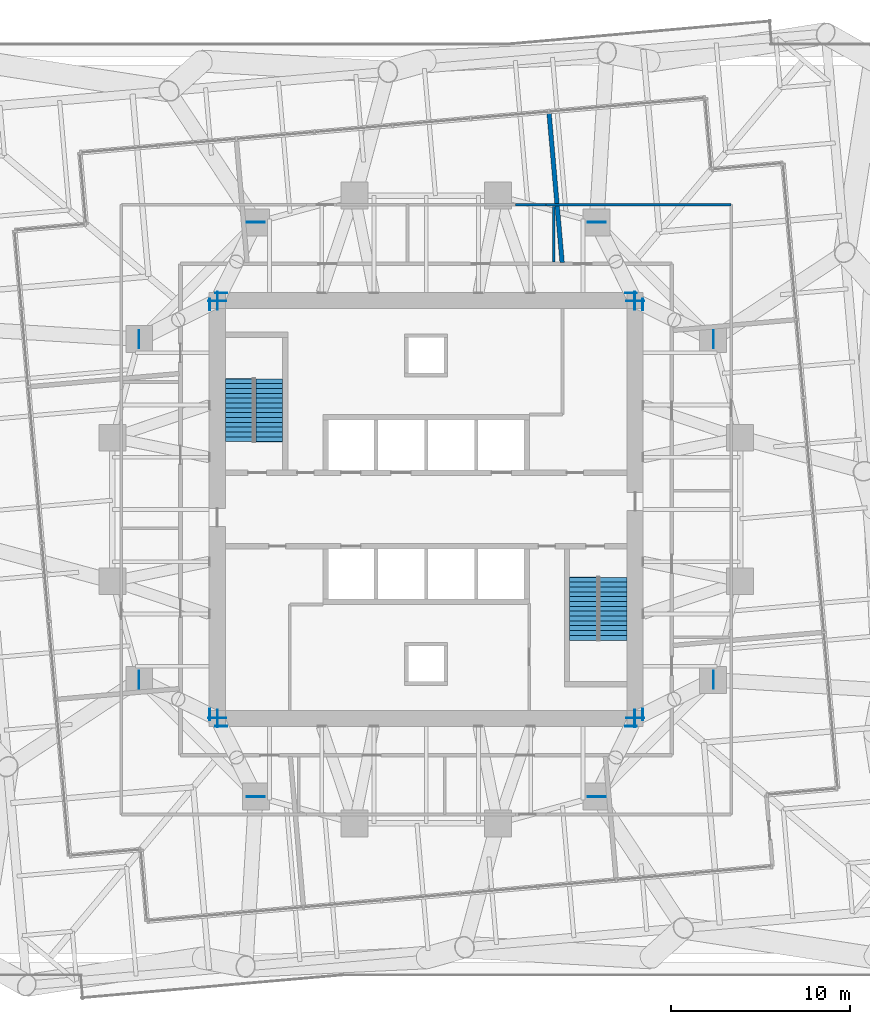
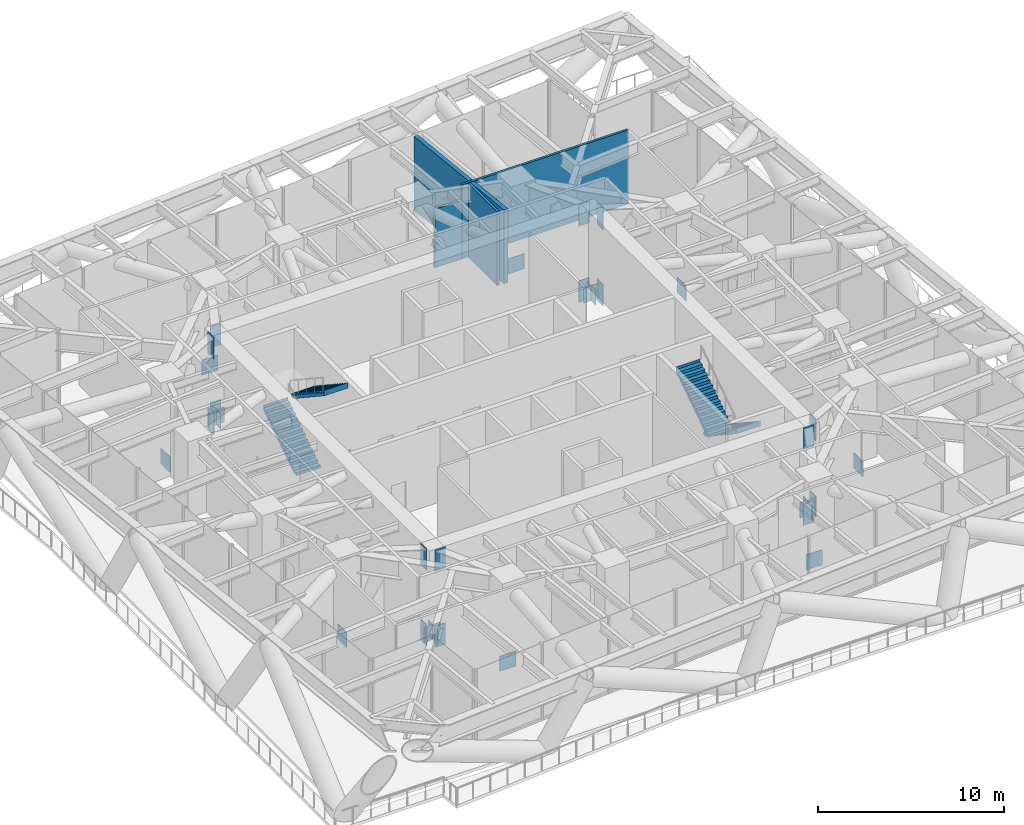
# One storey, part 11 of 14: 32 discrete accessories, 4 stair flights, 4 walls, 2 elements without a shape of their own.
"""IFC4 building model written with IfcOpenShell, lengths in metres."""

from ifc_helpers import new_model, si_unit, direction, frame, frame_2d, origin, origin_2d, place, context, subcontext, project, spatial, polyline, rectangle, outline, extrude, material, layer, layer_set, type_object, element, aggregate, save


model = new_model("IFC4")

# Units and contexts
model_context = context("Model", 3, precision=1e-05, world=origin(), true_north=direction((0.0, 1.0)))
body_context = subcontext(model_context, "Body", "Model", "MODEL_VIEW")
ifc_project = project(units=[si_unit("LENGTHUNIT", "METRE"), si_unit("AREAUNIT", "SQUARE_METRE"), si_unit("VOLUMEUNIT", "CUBIC_METRE"), si_unit("PLANEANGLEUNIT", "RADIAN"), si_unit("MASSUNIT", "GRAM", prefix="KILO")], contexts=[model_context])

# Site, building, storey
site_placement = place(None, origin())
site = spatial("IfcSite", under=ifc_project, at=site_placement, CompositionType="ELEMENT")
building_placement = place(site_placement, origin())
building = spatial("IfcBuilding", under=site, at=building_placement, Name="Torsade Residences", CompositionType="ELEMENT")
storey_placement = place(building_placement, frame((0.0, 0.0, 42.199951171875)))
storey = spatial("IfcBuildingStorey", under=building, at=storey_placement, Name="L11", CompositionType="ELEMENT", Elevation=42.199951171875)

# Walls
ifc_material_1 = material(Name="Masonry-lined stud party wall", Category="masonry")
ifc_layer_1 = layer(ifc_material_1, 0.25)
ifc_layer_set_1 = layer_set([ifc_layer_1], Name="Masonry-lined stud party wall")
wall_type_1 = type_object("IfcWallType", Name="PARTY WALL 250", PredefinedType="PARTITIONING", material=ifc_layer_set_1)
wall_1_placement = place(storey_placement, frame((46.8427734375, 52.180908203125, 0.0), z_axis=(0.0, 0.0, 1.0), x_axis=(0.087163721544, -0.996194000005, 0.0)))
element("IfcWall", 1, at=wall_1_placement, inside=storey, type_object=wall_type_1, Name="Party wall L11", PredefinedType="PARTITIONING", context=body_context, shape_type="SweptSolid", body=[
    extrude(rectangle(XDim=8.442138671875, YDim=0.25, at=frame_2d((4.22119140625, 0.0))), origin(), (0.0, 0.0, 1.0), 4.85009765625),
])
ifc_material_2 = material(Name="Reinforced blockwork", Category="masonry")
ifc_layer_2 = layer(ifc_material_2, 0.14990234375)
ifc_layer_set_2 = layer_set([ifc_layer_2], Name="Reinforced blockwork")
wall_type_2 = type_object("IfcWallType", Name="SERVICE ROOM WALL 150", PredefinedType="SOLIDWALL", material=ifc_layer_set_2)
wall_2_placement = place(storey_placement, frame((47.114501953125, 43.800048828125, 0.0), z_axis=(0.0, 0.0, 1.0), x_axis=(0.0, 1.0, 0.0)))
element("IfcWall", 2, at=wall_2_placement, inside=storey, type_object=wall_type_2, Name="Service room wall L11", PredefinedType="SOLIDWALL", context=body_context, shape_type="SweptSolid", body=[
    extrude(rectangle(XDim=3.095947265625, YDim=0.14990234375, at=frame_2d((1.5478515625, 0.0))), origin(), (0.0, 0.0, 1.0), 4.85009765625),
])
wall_3_placement = place(storey_placement, frame((44.98828125, 47.0, 0.0), z_axis=(0.0, 0.0, 1.0), x_axis=(1.0, 0.0, 0.0)))
element("IfcWall", 3, at=wall_3_placement, inside=storey, type_object=wall_type_2, Name="Service room wall L11", PredefinedType="SOLIDWALL", context=body_context, shape_type="SweptSolid", body=[
    extrude(rectangle(XDim=1.690185546875, YDim=0.14990234375, at=frame_2d((0.84521484375, 0.0))), origin(), (0.0, 0.0, 1.0), 3.85009765625),
])
wall_4_placement = place(storey_placement, frame((46.678466796875, 47.0, 0.0), z_axis=(0.0, 0.0, 1.0), x_axis=(1.0, 0.0, 0.0)))
element("IfcWall", 4, at=wall_4_placement, inside=storey, type_object=wall_type_2, Name="Service room wall L11", PredefinedType="SOLIDWALL", context=body_context, shape_type="SweptSolid", body=[
    extrude(rectangle(XDim=10.321533203125, YDim=0.14990234375, at=frame_2d((5.16064453125, 0.0))), origin(), (0.0, 0.0, 1.0), 4.85009765625),
])

# Stair, stair flights
ifc_material_3 = material(Name="Precast concrete 40 MPa", Category="concrete")
stair_type = type_object("IfcStairType", Name="HALF-TURN FIRE STAIR 1500x5000", PredefinedType="HALF_TURN_STAIR", material=ifc_material_3)
stair_1_placement = place(storey_placement, origin())
stair_1 = element("IfcStair", 5, at=stair_1_placement, inside=storey, type_object=stair_type, Name="Stair ST1 L11", PredefinedType="HALF_TURN_STAIR")
ifc_material_4 = material(Name="Precast concrete 40 MPa", Category="concrete")
stair_flight_type = type_object("IfcStairFlightType", Name="PRECAST STAIR FLIGHT 1500x2500", PredefinedType="STRAIGHT", material=ifc_material_4)
stair_flight_1_placement = place(storey_placement, frame((29.550048828125, 33.780029296875, 0.0), z_axis=(0.0, 0.0, 1.0), x_axis=(0.0, 1.0, 0.0)))
stair_flight_1 = element("IfcStairFlight", 6, at=stair_flight_1_placement, type_object=stair_flight_type, Name="ST1 flight 1", NumberOfRisers=14, NumberOfTreads=13, PredefinedType="STRAIGHT", RiserHeight=0.178571429, TreadLength=0.27, context=body_context, shape_type="SweptSolid", body=[
    extrude(outline(polyline([(0.0, 0.0), (0.0, 0.178466796875), (0.27001953125, 0.178466796875), (0.27001953125, 0.357177734375), (0.5400390625, 0.357177734375), (0.5400390625, 0.53564453125), (0.81005859375, 0.53564453125), (0.81005859375, 0.71435546875), (1.080078125, 0.71435546875), (1.080078125, 0.892822265625), (1.35009765625, 0.892822265625), (1.35009765625, 1.071533203125), (1.6201171875, 1.071533203125), (1.6201171875, 1.25), (1.889892578125, 1.25), (1.889892578125, 1.428466796875), (2.159912109375, 1.428466796875), (2.159912109375, 1.607177734375), (2.429931640625, 1.607177734375), (2.429931640625, 1.78564453125), (2.699951171875, 1.78564453125), (2.699951171875, 1.96435546875), (2.969970703125, 1.96435546875), (2.969970703125, 2.142822265625), (3.239990234375, 2.142822265625), (3.239990234375, 2.321533203125), (3.510009765625, 2.321533203125), (3.510009765625, 2.5), (3.52001953125, 2.5), (3.52001953125, 2.1416015625), (3.510009765625, 2.1416015625), (0.271728515625, 0.0), (0.0, 0.0)])), frame((0.0, 0.75, 0.0), z_axis=(0.0, -1.0, 0.0), x_axis=(1.0, 0.0, 0.0)), (0.0, 0.0, 1.0), 1.5),
])
stair_flight_2_placement = place(storey_placement, frame((31.25, 37.2900390625, 2.5), z_axis=(0.0, 0.0, 1.0), x_axis=(0.0, -1.0, 0.0)))
stair_flight_2 = element("IfcStairFlight", 7, at=stair_flight_2_placement, type_object=stair_flight_type, Name="ST1 flight 2", NumberOfRisers=14, NumberOfTreads=13, PredefinedType="STRAIGHT", RiserHeight=0.178571429, TreadLength=0.27, context=body_context, shape_type="SweptSolid", body=[
    extrude(outline(polyline([(0.0, 0.0), (0.0, 0.178466796875), (0.27001953125, 0.178466796875), (0.27001953125, 0.357177734375), (0.5400390625, 0.357177734375), (0.5400390625, 0.53564453125), (0.81005859375, 0.53564453125), (0.81005859375, 0.71435546875), (1.080078125, 0.71435546875), (1.080078125, 0.892822265625), (1.35009765625, 0.892822265625), (1.35009765625, 1.071533203125), (1.6201171875, 1.071533203125), (1.6201171875, 1.25), (1.889892578125, 1.25), (1.889892578125, 1.428466796875), (2.159912109375, 1.428466796875), (2.159912109375, 1.607177734375), (2.429931640625, 1.607177734375), (2.429931640625, 1.78564453125), (2.699951171875, 1.78564453125), (2.699951171875, 1.96435546875), (2.969970703125, 1.96435546875), (2.969970703125, 2.142822265625), (3.239990234375, 2.142822265625), (3.239990234375, 2.321533203125), (3.510009765625, 2.321533203125), (3.510009765625, 2.5), (3.52001953125, 2.5), (3.52001953125, 2.1416015625), (3.510009765625, 2.1416015625), (0.271728515625, 0.0), (0.0, 0.0)])), frame((0.0, 0.75, 0.0), z_axis=(0.0, -1.0, 0.0), x_axis=(1.0, 0.0, 0.0)), (0.0, 0.0, 1.0), 1.5),
])
aggregate(stair_1, [stair_flight_1, stair_flight_2])

stair_2_placement = place(storey_placement, origin())
stair_2 = element("IfcStair", 8, at=stair_2_placement, inside=storey, type_object=stair_type, Name="Stair ST2 L11", PredefinedType="HALF_TURN_STAIR")
stair_flight_3_placement = place(storey_placement, frame((50.449951171875, 26.219970703125, 0.0), z_axis=(0.0, 0.0, 1.0), x_axis=(0.0, -1.0, 0.0)))
stair_flight_3 = element("IfcStairFlight", 9, at=stair_flight_3_placement, type_object=stair_flight_type, Name="ST2 flight 1", NumberOfRisers=14, NumberOfTreads=13, PredefinedType="STRAIGHT", RiserHeight=0.178571429, TreadLength=0.27, context=body_context, shape_type="SweptSolid", body=[
    extrude(outline(polyline([(0.0, 0.0), (0.0, 0.178466796875), (0.27001953125, 0.178466796875), (0.27001953125, 0.357177734375), (0.5400390625, 0.357177734375), (0.5400390625, 0.53564453125), (0.81005859375, 0.53564453125), (0.81005859375, 0.71435546875), (1.080078125, 0.71435546875), (1.080078125, 0.892822265625), (1.35009765625, 0.892822265625), (1.35009765625, 1.071533203125), (1.6201171875, 1.071533203125), (1.6201171875, 1.25), (1.889892578125, 1.25), (1.889892578125, 1.428466796875), (2.159912109375, 1.428466796875), (2.159912109375, 1.607177734375), (2.429931640625, 1.607177734375), (2.429931640625, 1.78564453125), (2.699951171875, 1.78564453125), (2.699951171875, 1.96435546875), (2.969970703125, 1.96435546875), (2.969970703125, 2.142822265625), (3.239990234375, 2.142822265625), (3.239990234375, 2.321533203125), (3.510009765625, 2.321533203125), (3.510009765625, 2.5), (3.52001953125, 2.5), (3.52001953125, 2.1416015625), (3.510009765625, 2.1416015625), (0.271728515625, 0.0), (0.0, 0.0)])), frame((0.0, 0.75, 0.0), z_axis=(0.0, -1.0, 0.0), x_axis=(1.0, 0.0, 0.0)), (0.0, 0.0, 1.0), 1.5),
])
stair_flight_4_placement = place(storey_placement, frame((48.75, 22.7099609375, 2.5), z_axis=(0.0, 0.0, 1.0), x_axis=(0.0, 1.0, 0.0)))
stair_flight_4 = element("IfcStairFlight", 10, at=stair_flight_4_placement, type_object=stair_flight_type, Name="ST2 flight 2", NumberOfRisers=14, NumberOfTreads=13, PredefinedType="STRAIGHT", RiserHeight=0.178571429, TreadLength=0.27, context=body_context, shape_type="SweptSolid", body=[
    extrude(outline(polyline([(0.0, 0.0), (0.0, 0.178466796875), (0.27001953125, 0.178466796875), (0.27001953125, 0.357177734375), (0.5400390625, 0.357177734375), (0.5400390625, 0.53564453125), (0.81005859375, 0.53564453125), (0.81005859375, 0.71435546875), (1.080078125, 0.71435546875), (1.080078125, 0.892822265625), (1.35009765625, 0.892822265625), (1.35009765625, 1.071533203125), (1.6201171875, 1.071533203125), (1.6201171875, 1.25), (1.889892578125, 1.25), (1.889892578125, 1.428466796875), (2.159912109375, 1.428466796875), (2.159912109375, 1.607177734375), (2.429931640625, 1.607177734375), (2.429931640625, 1.78564453125), (2.699951171875, 1.78564453125), (2.699951171875, 1.96435546875), (2.969970703125, 1.96435546875), (2.969970703125, 2.142822265625), (3.239990234375, 2.142822265625), (3.239990234375, 2.321533203125), (3.510009765625, 2.321533203125), (3.510009765625, 2.5), (3.52001953125, 2.5), (3.52001953125, 2.1416015625), (3.510009765625, 2.1416015625), (0.271728515625, 0.0), (0.0, 0.0)])), frame((0.0, 0.75, 0.0), z_axis=(0.0, -1.0, 0.0), x_axis=(1.0, 0.0, 0.0)), (0.0, 0.0, 1.0), 1.5),
])
aggregate(stair_2, [stair_flight_3, stair_flight_4])

# Discrete accessories
ifc_material_5 = material(Name="Steel grade 350", Category="steel")
ifc_layer_3 = layer(ifc_material_5, 0.050048828125)
ifc_layer_set_3 = layer_set([ifc_layer_3], Name="Steel grade 350")
discrete_accessory_type_1 = type_object("IfcDiscreteAccessoryType", Name="CAST-IN PLATE 650x1400x50", PredefinedType="ANCHORPLATE", material=ifc_layer_set_3)
for number, where, z_axis, x_axis, name in (
    (11, (52.074951171875, 41.427490234375, 3.550048828125), (0.0, 0.0, 1.0), (1.0, 0.0, 0.0), "Cast-in plate OT1C CP-L11-IR03-T"),
    (12, (52.074951171875, 41.427490234375, -1.449951171875), (0.0, 0.0, 1.0), (1.0, 0.0, 0.0), "Cast-in plate OT1C CP-L11-IR03-B"),
):
    element("IfcDiscreteAccessory", number, at=place(storey_placement, frame(where, z_axis=z_axis, x_axis=x_axis)), inside=storey, type_object=discrete_accessory_type_1, Name=name, PredefinedType="ANCHORPLATE", context=body_context, shape_type="SweptSolid", body=[
        extrude(rectangle(XDim=0.050048828125, YDim=0.64990234375, at=origin_2d()), origin(), (0.0, 0.0, 1.0), 1.39990234375),
    ])
for number, where, z_axis, x_axis, name in (
    (13, (51.427490234375, 42.074951171875, 3.550048828125), (0.0, 0.0, 1.0), (1.0, 0.0, 0.0), "Cast-in plate OT1C CP-L11-IR04-T"),
    (14, (51.427490234375, 42.074951171875, -1.449951171875), (0.0, 0.0, 1.0), (1.0, 0.0, 0.0), "Cast-in plate OT1C CP-L11-IR04-B"),
    (15, (28.572509765625, 42.074951171875, 3.550048828125), (0.0, 0.0, 1.0), (1.0, 0.0, 0.0), "Cast-in plate OT1C CP-L11-IR07-T"),
    (16, (28.572509765625, 42.074951171875, -1.449951171875), (0.0, 0.0, 1.0), (1.0, 0.0, 0.0), "Cast-in plate OT1C CP-L11-IR07-B"),
):
    element("IfcDiscreteAccessory", number, at=place(storey_placement, frame(where, z_axis=z_axis, x_axis=x_axis)), inside=storey, type_object=discrete_accessory_type_1, Name=name, PredefinedType="ANCHORPLATE", context=body_context, shape_type="SweptSolid", body=[
        extrude(rectangle(XDim=0.64990234375, YDim=0.050048828125, at=origin_2d()), origin(), (0.0, 0.0, 1.0), 1.39990234375),
    ])
for number, where, z_axis, x_axis, name in (
    (17, (27.925048828125, 41.427490234375, 3.550048828125), (0.0, 0.0, 1.0), (1.0, 0.0, 0.0), "Cast-in plate OT1C CP-L11-IR08-T"),
    (18, (27.925048828125, 41.427490234375, -1.449951171875), (0.0, 0.0, 1.0), (1.0, 0.0, 0.0), "Cast-in plate OT1C CP-L11-IR08-B"),
    (19, (27.925048828125, 18.572509765625, 3.550048828125), (0.0, 0.0, 1.0), (1.0, 0.0, 0.0), "Cast-in plate OT1C CP-L11-IR11-T"),
    (20, (27.925048828125, 18.572509765625, -1.449951171875), (0.0, 0.0, 1.0), (1.0, 0.0, 0.0), "Cast-in plate OT1C CP-L11-IR11-B"),
):
    element("IfcDiscreteAccessory", number, at=place(storey_placement, frame(where, z_axis=z_axis, x_axis=x_axis)), inside=storey, type_object=discrete_accessory_type_1, Name=name, PredefinedType="ANCHORPLATE", context=body_context, shape_type="SweptSolid", body=[
        extrude(rectangle(XDim=0.050048828125, YDim=0.64990234375, at=origin_2d()), origin(), (0.0, 0.0, 1.0), 1.39990234375),
    ])
for number, where, z_axis, x_axis, name in (
    (21, (28.572509765625, 17.925048828125, 3.550048828125), (0.0, 0.0, 1.0), (1.0, 0.0, 0.0), "Cast-in plate OT1C CP-L11-IR12-T"),
    (22, (28.572509765625, 17.925048828125, -1.449951171875), (0.0, 0.0, 1.0), (1.0, 0.0, 0.0), "Cast-in plate OT1C CP-L11-IR12-B"),
    (23, (51.427490234375, 17.925048828125, 3.550048828125), (0.0, 0.0, 1.0), (1.0, 0.0, 0.0), "Cast-in plate OT1C CP-L11-IR15-T"),
    (24, (51.427490234375, 17.925048828125, -1.449951171875), (0.0, 0.0, 1.0), (1.0, 0.0, 0.0), "Cast-in plate OT1C CP-L11-IR15-B"),
):
    element("IfcDiscreteAccessory", number, at=place(storey_placement, frame(where, z_axis=z_axis, x_axis=x_axis)), inside=storey, type_object=discrete_accessory_type_1, Name=name, PredefinedType="ANCHORPLATE", context=body_context, shape_type="SweptSolid", body=[
        extrude(rectangle(XDim=0.64990234375, YDim=0.050048828125, at=origin_2d()), origin(), (0.0, 0.0, 1.0), 1.39990234375),
    ])
for number, where, z_axis, x_axis, name in (
    (25, (52.074951171875, 18.572509765625, 3.550048828125), (0.0, 0.0, 1.0), (1.0, 0.0, 0.0), "Cast-in plate OT1C CP-L11-IR16-T"),
    (26, (52.074951171875, 18.572509765625, -1.449951171875), (0.0, 0.0, 1.0), (1.0, 0.0, 0.0), "Cast-in plate OT1C CP-L11-IR16-B"),
):
    element("IfcDiscreteAccessory", number, at=place(storey_placement, frame(where, z_axis=z_axis, x_axis=x_axis)), inside=storey, type_object=discrete_accessory_type_1, Name=name, PredefinedType="ANCHORPLATE", context=body_context, shape_type="SweptSolid", body=[
        extrude(rectangle(XDim=0.050048828125, YDim=0.64990234375, at=origin_2d()), origin(), (0.0, 0.0, 1.0), 1.39990234375),
    ])
ifc_material_6 = material(Name="Steel grade 350", Category="steel")
ifc_layer_4 = layer(ifc_material_6, 0.0400390625)
ifc_layer_set_4 = layer_set([ifc_layer_4], Name="Steel grade 350")
discrete_accessory_type_2 = type_object("IfcDiscreteAccessoryType", Name="END PLATE 1000x1000x40", PredefinedType="ANCHORPLATE", material=ifc_layer_set_4)
for number, where, z_axis, x_axis, name in (
    (27, (51.6298828125, 41.64990234375, -1.25), (0.0, 0.0, 1.0), (1.0, 0.0, 0.0), "End plate OT1D EP-L11-IR03-D1"),
    (28, (56.02001953125, 39.5, -1.25), (0.0, 0.0, 1.0), (1.0, 0.0, 0.0), "End plate OT1D EP-L11-IR03-D2"),
):
    element("IfcDiscreteAccessory", number, at=place(storey_placement, frame(where, z_axis=z_axis, x_axis=x_axis)), inside=storey, type_object=discrete_accessory_type_2, Name=name, PredefinedType="ANCHORPLATE", context=body_context, shape_type="SweptSolid", body=[
        extrude(rectangle(XDim=0.0400390625, YDim=1.0, at=origin_2d()), origin(), (0.0, 0.0, 1.0), 1.0),
    ])
for number, where, z_axis, x_axis, name in (
    (29, (51.64990234375, 41.6298828125, -1.25), (0.0, 0.0, 1.0), (1.0, 0.0, 0.0), "End plate OT1D EP-L11-IR04-D1"),
    (30, (49.5, 46.02001953125, -1.25), (0.0, 0.0, 1.0), (1.0, 0.0, 0.0), "End plate OT1D EP-L11-IR04-D2"),
    (31, (28.35009765625, 41.6298828125, -1.25), (0.0, 0.0, 1.0), (1.0, 0.0, 0.0), "End plate OT1D EP-L11-IR07-D1"),
    (32, (30.5, 46.02001953125, -1.25), (0.0, 0.0, 1.0), (1.0, 0.0, 0.0), "End plate OT1D EP-L11-IR07-D2"),
):
    element("IfcDiscreteAccessory", number, at=place(storey_placement, frame(where, z_axis=z_axis, x_axis=x_axis)), inside=storey, type_object=discrete_accessory_type_2, Name=name, PredefinedType="ANCHORPLATE", context=body_context, shape_type="SweptSolid", body=[
        extrude(rectangle(XDim=1.0, YDim=0.0400390625, at=origin_2d()), origin(), (0.0, 0.0, 1.0), 1.0),
    ])
for number, where, z_axis, x_axis, name in (
    (33, (28.3701171875, 41.64990234375, -1.25), (0.0, 0.0, 1.0), (1.0, 0.0, 0.0), "End plate OT1D EP-L11-IR08-D1"),
    (34, (23.97998046875, 39.5, -1.25), (0.0, 0.0, 1.0), (1.0, 0.0, 0.0), "End plate OT1D EP-L11-IR08-D2"),
    (35, (28.3701171875, 18.35009765625, -1.25), (0.0, 0.0, 1.0), (1.0, 0.0, 0.0), "End plate OT1D EP-L11-IR11-D1"),
    (36, (23.97998046875, 20.5, -1.25), (0.0, 0.0, 1.0), (1.0, 0.0, 0.0), "End plate OT1D EP-L11-IR11-D2"),
):
    element("IfcDiscreteAccessory", number, at=place(storey_placement, frame(where, z_axis=z_axis, x_axis=x_axis)), inside=storey, type_object=discrete_accessory_type_2, Name=name, PredefinedType="ANCHORPLATE", context=body_context, shape_type="SweptSolid", body=[
        extrude(rectangle(XDim=0.0400390625, YDim=1.0, at=origin_2d()), origin(), (0.0, 0.0, 1.0), 1.0),
    ])
for number, where, z_axis, x_axis, name in (
    (37, (28.35009765625, 18.3701171875, -1.25), (0.0, 0.0, 1.0), (1.0, 0.0, 0.0), "End plate OT1D EP-L11-IR12-D1"),
    (38, (30.5, 13.97998046875, -1.25), (0.0, 0.0, 1.0), (1.0, 0.0, 0.0), "End plate OT1D EP-L11-IR12-D2"),
    (39, (51.64990234375, 18.3701171875, -1.25), (0.0, 0.0, 1.0), (1.0, 0.0, 0.0), "End plate OT1D EP-L11-IR15-D1"),
    (40, (49.5, 13.97998046875, -1.25), (0.0, 0.0, 1.0), (1.0, 0.0, 0.0), "End plate OT1D EP-L11-IR15-D2"),
):
    element("IfcDiscreteAccessory", number, at=place(storey_placement, frame(where, z_axis=z_axis, x_axis=x_axis)), inside=storey, type_object=discrete_accessory_type_2, Name=name, PredefinedType="ANCHORPLATE", context=body_context, shape_type="SweptSolid", body=[
        extrude(rectangle(XDim=1.0, YDim=0.0400390625, at=origin_2d()), origin(), (0.0, 0.0, 1.0), 1.0),
    ])
for number, where, z_axis, x_axis, name in (
    (41, (51.6298828125, 18.35009765625, -1.25), (0.0, 0.0, 1.0), (1.0, 0.0, 0.0), "End plate OT1D EP-L11-IR16-D1"),
    (42, (56.02001953125, 20.5, -1.25), (0.0, 0.0, 1.0), (1.0, 0.0, 0.0), "End plate OT1D EP-L11-IR16-D2"),
):
    element("IfcDiscreteAccessory", number, at=place(storey_placement, frame(where, z_axis=z_axis, x_axis=x_axis)), inside=storey, type_object=discrete_accessory_type_2, Name=name, PredefinedType="ANCHORPLATE", context=body_context, shape_type="SweptSolid", body=[
        extrude(rectangle(XDim=0.0400390625, YDim=1.0, at=origin_2d()), origin(), (0.0, 0.0, 1.0), 1.0),
    ])

save(model, "model.ifc")
